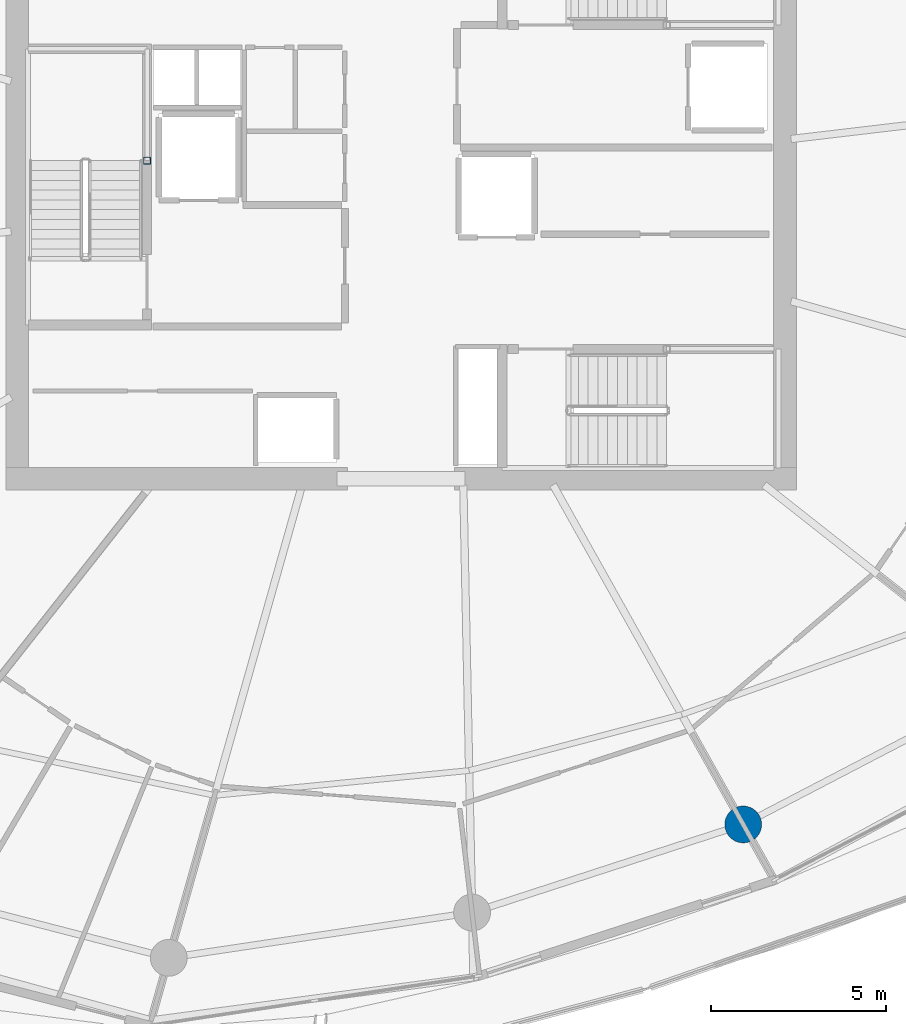
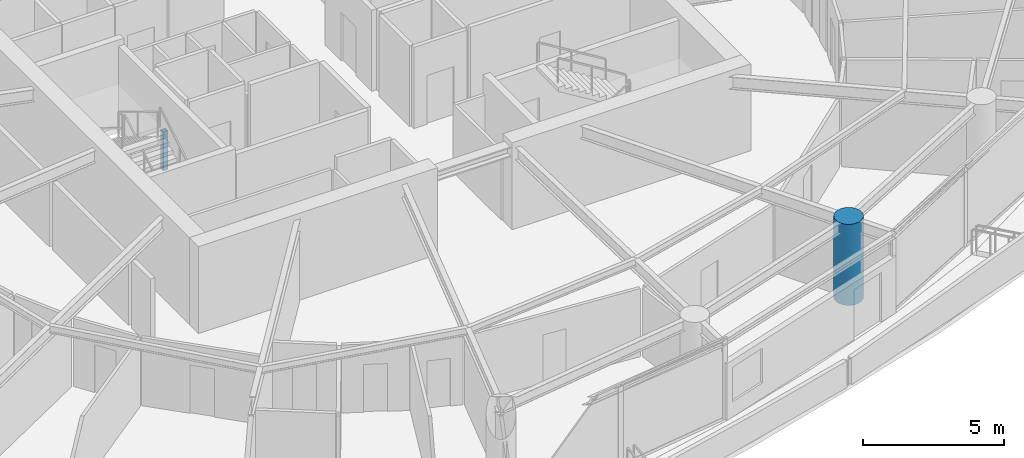
# One storey, part 2 of 20: 2 columns.
"""IFC4 building model written with IfcOpenShell, lengths in metres."""

from ifc_helpers import new_model, si_unit, direction, frame, origin, origin_2d, place, context, subcontext, project, spatial, hollow_rectangle, circle, extrude, material, material_profile, profile_set, type_object, element, save


model = new_model("IFC4")

# Units and contexts
model_context = context("Model", 3, precision=1e-05, world=origin(), true_north=direction((0.0, 1.0)))
body_context = subcontext(model_context, "Body", "Model", "MODEL_VIEW")
ifc_project = project(units=[si_unit("LENGTHUNIT", "METRE"), si_unit("AREAUNIT", "SQUARE_METRE"), si_unit("VOLUMEUNIT", "CUBIC_METRE"), si_unit("PLANEANGLEUNIT", "RADIAN"), si_unit("MASSUNIT", "GRAM", prefix="KILO")], contexts=[model_context])

# Site, building, storey
site_placement = place(None, origin())
site = spatial("IfcSite", under=ifc_project, at=site_placement, CompositionType="ELEMENT")
building_placement = place(site_placement, origin())
building = spatial("IfcBuilding", under=site, at=building_placement, Name="Kazma Halo Residences", CompositionType="ELEMENT")
storey_placement = place(building_placement, frame((0.0, 0.0, 214.050048828125)))
storey = spatial("IfcBuildingStorey", under=building, at=storey_placement, Name="L54", CompositionType="ELEMENT", Elevation=214.050048828125)

# Columns
ifc_material_1 = material(Name="Steel S355", Category="steel")
ifc_material_profile_1 = material_profile(ifc_material_1, hollow_rectangle(XDim=0.199951171875, YDim=0.199951171875, WallThickness=0.010009765625, InnerFilletRadius=0.010009765625, OuterFilletRadius=0.02001953125, at=origin_2d()), Name="SHS200x200x10")
ifc_profile_set_1 = profile_set([ifc_material_profile_1], Name="Steel S355")
column_type_1 = type_object("IfcColumnType", Name="COL-LP-SHS200", PredefinedType="COLUMN", material=ifc_profile_set_1)
column_1_placement = place(storey_placement, frame((41.179931640625, 42.75, 0.0), z_axis=(0.0, 0.0, 1.0), x_axis=(1.0, 0.0, 0.0)))
element("IfcColumn", 1, at=column_1_placement, inside=storey, type_object=column_type_1, Name="L54 ST-01 landing pilaster 1", PredefinedType="COLUMN", context=body_context, shape_type="SweptSolid", body=[
    extrude(hollow_rectangle(XDim=0.199951171875, YDim=0.199951171875, WallThickness=0.010009765625, InnerFilletRadius=0.010009765625, OuterFilletRadius=0.02001953125, at=origin_2d()), origin(), (0.0, 0.0, 1.0), 1.669921875),
])
ifc_material_2 = material(Name="Concrete C80/95", Category="concrete")
ifc_material_profile_2 = material_profile(ifc_material_2, circle(Radius=0.52490234375, at=origin_2d()), Name="CIRC1050")
ifc_profile_set_2 = profile_set([ifc_material_profile_2], Name="Concrete C80/95")
column_type_2 = type_object("IfcColumnType", Name="COL-PERIM-1050", PredefinedType="COLUMN", material=ifc_profile_set_2)
column_2_placement = place(storey_placement, frame((58.184814453125, 23.813720703125, 0.0), z_axis=(0.0, 0.0, 1.0), x_axis=(1.0, 0.0, 0.0)))
element("IfcColumn", 2, at=column_2_placement, inside=storey, type_object=column_type_2, Name="L54 perimeter ring column P13", PredefinedType="COLUMN", context=body_context, shape_type="SweptSolid", body=[
    extrude(circle(Radius=0.52490234375, at=origin_2d()), origin(), (0.0, 0.0, 1.0), 3.5),
])

save(model, "model.ifc")
